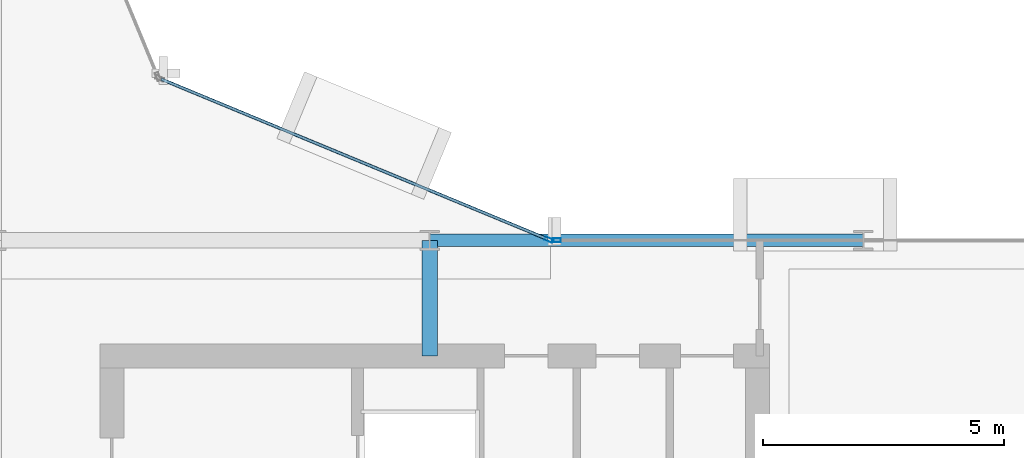
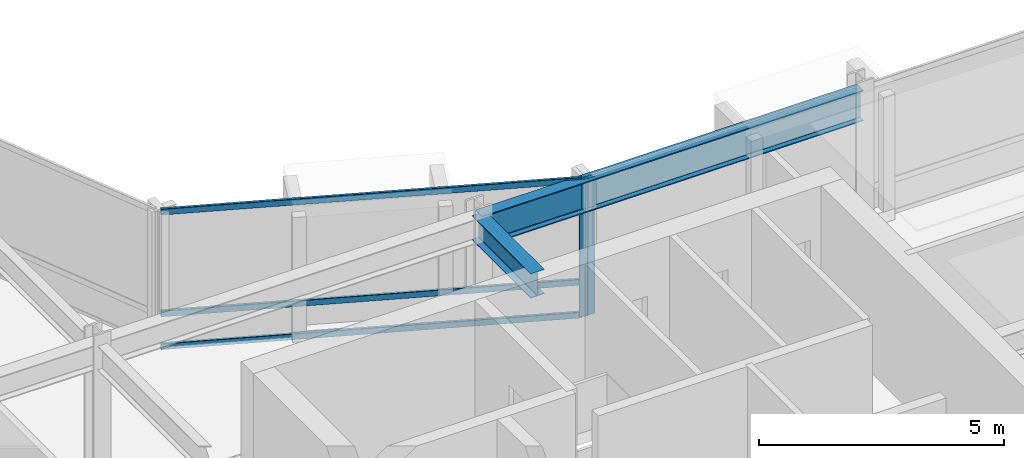
# One storey, part 12 of 27: 5 members, 2 beams, 2 elements without a shape of their own.
"""IFC4 building model written with IfcOpenShell, lengths in metres."""

from ifc_helpers import new_model, si_unit, direction, frame, origin, origin_2d, place, context, subcontext, project, spatial, hollow_rectangle, i_section, extrude, material, layer, layer_set, material_profile, profile_set, type_object, element, aggregate, save


model = new_model("IFC4")

# Units and contexts
model_context = context("Model", 3, precision=1e-05, world=origin(), true_north=direction((0.0, 1.0)))
body_context = subcontext(model_context, "Body", "Model", "MODEL_VIEW")
ifc_project = project(units=[si_unit("LENGTHUNIT", "METRE"), si_unit("AREAUNIT", "SQUARE_METRE"), si_unit("VOLUMEUNIT", "CUBIC_METRE"), si_unit("PLANEANGLEUNIT", "RADIAN"), si_unit("MASSUNIT", "GRAM", prefix="KILO")], contexts=[model_context])

# Site, building, storey
site_placement = place(None, origin())
site = spatial("IfcSite", under=ifc_project, at=site_placement, CompositionType="ELEMENT")
building_placement = place(site_placement, origin())
building = spatial("IfcBuilding", under=site, at=building_placement, Name="Solvaryn Broadcast Tower", CompositionType="ELEMENT")
storey_placement = place(building_placement, frame((0.0, 0.0, 174.199951171875)))
storey = spatial("IfcBuildingStorey", under=building, at=storey_placement, Name="L43", CompositionType="ELEMENT", Elevation=174.199951171875)

# Beams
ifc_material_1 = material(Name="Steel ASTM A992 Grade 50", Category="steel")
ifc_material_profile_1 = material_profile(ifc_material_1, i_section(OverallWidth=0.323974609375, OverallDepth=0.611083984375, WebThickness=0.0126953125, FlangeThickness=0.01904296875, FilletRadius=0.014892578125, at=origin_2d()))
ifc_profile_set_1 = profile_set([ifc_material_profile_1], Name="Steel ASTM A992 Grade 50")
beam_type_1 = type_object("IfcBeamType", Name="BM-B1-W24X104", PredefinedType="BEAM", material=ifc_profile_set_1)
beam_1_placement = place(storey_placement, frame((36.0, 24.60009765625, 3.114501953125), z_axis=(0.0, 1.0, 0.0), x_axis=(-1.0, 0.0, 0.0)))
element("IfcBeam", 1, at=beam_1_placement, inside=storey, type_object=beam_type_1, Name="L43 Core Tie Beam CTE2", PredefinedType="BEAM", context=body_context, shape_type="SweptSolid", body=[
    extrude(i_section(OverallWidth=0.323974609375, OverallDepth=0.611083984375, WebThickness=0.0126953125, FlangeThickness=0.01904296875, FilletRadius=0.014892578125, at=origin_2d()), origin(), (0.0, 0.0, 1.0), 2.39990234375),
])
ifc_material_2 = material(Name="Steel ASTM A992 Grade 50", Category="steel")
ifc_material_profile_2 = material_profile(ifc_material_2, i_section(OverallWidth=0.26708984375, OverallDepth=0.76611328125, WebThickness=0.014892578125, FlangeThickness=0.023681640625, FilletRadius=0.01806640625, at=origin_2d()))
ifc_profile_set_2 = profile_set([ifc_material_profile_2], Name="Steel ASTM A992 Grade 50")
beam_type_2 = type_object("IfcBeamType", Name="BM-SP2-W30X124", PredefinedType="USERDEFINED", material=ifc_profile_set_2)
beam_2_placement = place(storey_placement, frame((36.0, 27.0, 3.037109375), z_axis=(1.0, 0.0, 0.0), x_axis=(0.0, 1.0, 0.0)))
element("IfcBeam", 2, at=beam_2_placement, inside=storey, type_object=beam_type_2, Name="L43 Spandrel Beam X (36-45 @ Y=27)", ObjectType="SPANDREL", PredefinedType="USERDEFINED", context=body_context, shape_type="SweptSolid", body=[
    extrude(i_section(OverallWidth=0.26708984375, OverallDepth=0.76611328125, WebThickness=0.014892578125, FlangeThickness=0.023681640625, FilletRadius=0.01806640625, at=origin_2d()), origin(), (0.0, 0.0, 1.0), 9.0),
])

# Curtain wall, member
ifc_material_3 = material(Name="Aluminium and Terracotta Unitised Curtain Wall", Category="masonry")
ifc_layer = layer(ifc_material_3, 0.199951171875)
ifc_layer_set = layer_set([ifc_layer], Name="CW-SYS2-LOWMID")
curtain_wall_type = type_object("IfcCurtainWallType", Name="CW-SYS2-LOWMID", PredefinedType="NOTDEFINED", material=ifc_layer_set)
curtain_wall_1_placement = place(storey_placement, origin())
curtain_wall_1 = element("IfcCurtainWall", 3, at=curtain_wall_1_placement, inside=storey, type_object=curtain_wall_type, Name="L43 Curtain Wall CN1", PredefinedType="NOTDEFINED")
ifc_material_4 = material(Name="Anodised Aluminium 6063-T6", Category="aluminium")
ifc_material_profile_3 = material_profile(ifc_material_4, hollow_rectangle(XDim=0.074951171875, YDim=0.179931640625, WallThickness=0.00390625, InnerFilletRadius=0.00390625, OuterFilletRadius=0.008056640625, at=origin_2d()))
ifc_profile_set_3 = profile_set([ifc_material_profile_3], Name="Anodised Aluminium 6063-T6")
member_type_1 = type_object("IfcMemberType", Name="CW-MUL-180", PredefinedType="MULLION", material=ifc_profile_set_3)
member_1_placement = place(storey_placement, frame((38.47216796875, 27.011474609375, 0.0), z_axis=(0.0, 0.0, 1.0), x_axis=(-0.382646127145, -0.923894983957, 0.0)))
member_1 = element("IfcMember", 4, at=member_1_placement, type_object=member_type_1, Name="CWS2 mullion 1", PredefinedType="MULLION", context=body_context, shape_type="SweptSolid", body=[
    extrude(hollow_rectangle(XDim=0.074951171875, YDim=0.179931640625, WallThickness=0.00390625, InnerFilletRadius=0.00390625, OuterFilletRadius=0.008056640625, at=origin_2d()), origin(), (0.0, 0.0, 1.0), 3.420166015625),
])

curtain_wall_2_placement = place(storey_placement, origin())
curtain_wall_2 = element("IfcCurtainWall", 5, at=curtain_wall_2_placement, inside=storey, type_object=curtain_wall_type, Name="L43 Curtain Wall IH", PredefinedType="NOTDEFINED")
member_2_placement = place(storey_placement, frame((38.6298828125, 27.0, 0.0), z_axis=(0.0, 0.0, 1.0), x_axis=(0.0, 1.0, 0.0)))
member_2 = element("IfcMember", 6, at=member_2_placement, type_object=member_type_1, Name="CWS2 mullion 1", PredefinedType="MULLION", context=body_context, shape_type="SweptSolid", body=[
    extrude(hollow_rectangle(XDim=0.074951171875, YDim=0.179931640625, WallThickness=0.00390625, InnerFilletRadius=0.00390625, OuterFilletRadius=0.008056640625, at=origin_2d()), origin(), (0.0, 0.0, 1.0), 3.420166015625),
])
aggregate(curtain_wall_2, [member_2])

# Member
ifc_material_5 = material(Name="Anodised Aluminium 6063-T6", Category="aluminium")
ifc_material_profile_4 = material_profile(ifc_material_5, hollow_rectangle(XDim=0.06494140625, YDim=0.14990234375, WallThickness=0.00390625, InnerFilletRadius=0.00390625, OuterFilletRadius=0.008056640625, at=origin_2d()))
ifc_profile_set_4 = profile_set([ifc_material_profile_4], Name="Anodised Aluminium 6063-T6")
member_type_2 = type_object("IfcMemberType", Name="CW-TRN-150", PredefinedType="USERDEFINED", material=ifc_profile_set_4)
member_3_placement = place(storey_placement, frame((38.444580078125, 27.02294921875, 0.030029296875), z_axis=(-0.923899282177, 0.382635748975, 0.0), x_axis=(-0.382635748975, -0.923899282177, 0.0)))
member_3 = element("IfcMember", 7, at=member_3_placement, type_object=member_type_2, Name="CWS2 transom 1.1", ObjectType="TRANSOM", PredefinedType="USERDEFINED", context=body_context, shape_type="SweptSolid", body=[
    extrude(hollow_rectangle(XDim=0.06494140625, YDim=0.14990234375, WallThickness=0.00390625, InnerFilletRadius=0.00390625, OuterFilletRadius=0.008056640625, at=origin_2d()), origin(), (0.0, 0.0, 1.0), 8.681884765625),
])

member_4_placement = place(storey_placement, frame((38.444580078125, 27.02294921875, 0.85009765625), z_axis=(-0.923899282177, 0.382635748975, 0.0), x_axis=(-0.382635748975, -0.923899282177, 0.0)))
member_4 = element("IfcMember", 8, at=member_4_placement, type_object=member_type_2, Name="CWS2 transom 1.2", ObjectType="TRANSOM", PredefinedType="USERDEFINED", context=body_context, shape_type="SweptSolid", body=[
    extrude(hollow_rectangle(XDim=0.06494140625, YDim=0.14990234375, WallThickness=0.00390625, InnerFilletRadius=0.00390625, OuterFilletRadius=0.008056640625, at=origin_2d()), origin(), (0.0, 0.0, 1.0), 8.681884765625),
])

member_5_placement = place(storey_placement, frame((38.444580078125, 27.02294921875, 3.39013671875), z_axis=(-0.923899282177, 0.382635748975, 0.0), x_axis=(-0.382635748975, -0.923899282177, 0.0)))
member_5 = element("IfcMember", 9, at=member_5_placement, type_object=member_type_2, Name="CWS2 transom 1.3", ObjectType="TRANSOM", PredefinedType="USERDEFINED", context=body_context, shape_type="SweptSolid", body=[
    extrude(hollow_rectangle(XDim=0.06494140625, YDim=0.14990234375, WallThickness=0.00390625, InnerFilletRadius=0.00390625, OuterFilletRadius=0.008056640625, at=origin_2d()), origin(), (0.0, 0.0, 1.0), 8.681884765625),
])

aggregate(curtain_wall_1, [member_1, member_3, member_4, member_5])

save(model, "model.ifc")
